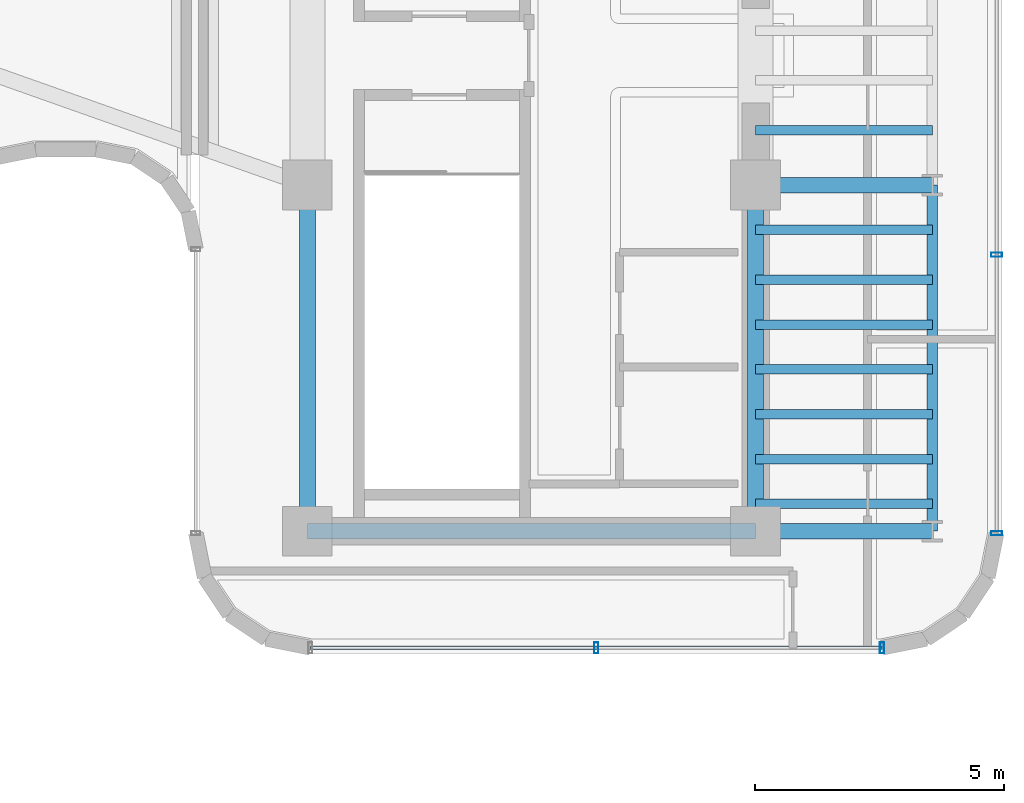
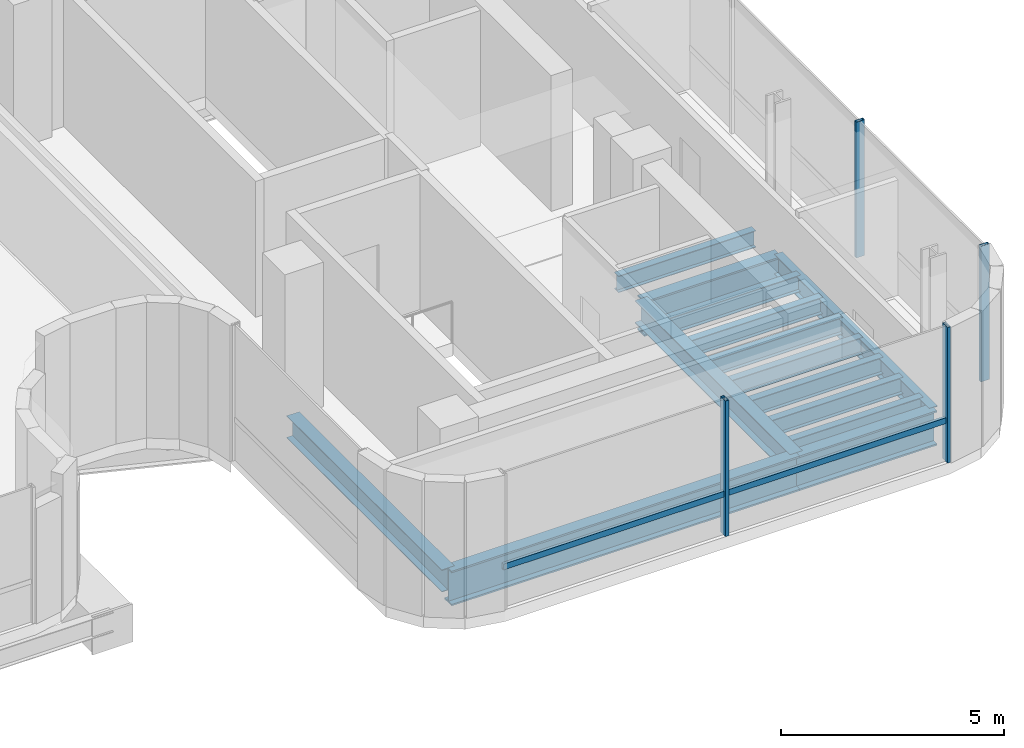
# One storey, part 13 of 35: 14 beams, 5 members, 2 elements without a shape of their own.
"""IFC4 building model written with IfcOpenShell, lengths in metres."""

import ifcopenshell
import ifcopenshell.guid

model = None  # the IFC model being written
_history = None  # IfcOwnerHistory: only IFC2X3 demands one
_inside = {}  # id of a spatial element -> (the spatial element, [elements in it])
_under = {}  # id of a project, library or spatial element -> (it, [spatial elements below it])
_declared = {}  # id of a project -> (the project, [libraries it declares])
_typed = {}  # id of a type object -> (the type object, [elements of that type])
_made_of = {}  # id of a material, layer set ... -> (it, [elements and type objects made of it])


def new_model(schema):
    """Start an empty IFC model of exactly this schema.

    Asked for "IFC4X3", IfcOpenShell would pick the latest addendum, in which some entities
    have other attributes; the version numbers below select the first issue.
    IFC2X3 requires an IfcOwnerHistory on every rooted entity: one is made here for all.
    """
    global model, _history
    if schema == "IFC4X3":
        model = ifcopenshell.file(schema_version=(4, 3, 0, 0))
    else:
        model = ifcopenshell.file(schema=schema)
    _inside.clear()
    _under.clear()
    _declared.clear()
    _typed.clear()
    _made_of.clear()
    _history = None
    if model.schema == "IFC2X3":
        org = make("IfcOrganization", Name="unknown")
        user = make(
            "IfcPersonAndOrganization",
            ThePerson=make("IfcPerson", FamilyName="unknown"),
            TheOrganization=org,
        )
        app = make(
            "IfcApplication",
            ApplicationDeveloper=org,
            Version="unknown",
            ApplicationFullName="unknown",
            ApplicationIdentifier="unknown",
        )
        _history = make(
            "IfcOwnerHistory",
            OwningUser=user,
            OwningApplication=app,
            ChangeAction="ADDED",
            CreationDate=0,
        )
    return model


def make(cls, **values):
    """One entity of the class cls with the attributes given. An attribute that is None is left unset."""
    return model.create_entity(
        cls, **{name: value for name, value in values.items() if value is not None}
    )


def rooted(cls, **values):
    """An entity with a GlobalId (a new one), such as an element, a storey or a relation."""
    return make(cls, GlobalId=ifcopenshell.guid.new(), OwnerHistory=_history, **values)


def si_unit(unit_type, name, prefix=None):
    """IfcSIUnit, for example si_unit("LENGTHUNIT", "METRE", prefix="MILLI")."""
    return make("IfcSIUnit", UnitType=unit_type, Prefix=prefix, Name=name)


def assignment(units):
    """IfcUnitAssignment: the units of a project."""
    return None if units is None else make("IfcUnitAssignment", Units=units)


def point(xyz):
    """IfcCartesianPoint."""
    return None if xyz is None else make("IfcCartesianPoint", Coordinates=xyz)


def direction(xyz):
    """IfcDirection."""
    return None if xyz is None else make("IfcDirection", DirectionRatios=xyz)


def frame(location, z_axis=None, x_axis=None):
    """IfcAxis2Placement3D, a coordinate frame: its origin and axes. An axis left out is left unset."""
    return make(
        "IfcAxis2Placement3D",
        Location=point(location),
        Axis=direction(z_axis),
        RefDirection=direction(x_axis),
    )


def frame_2d(location, x_axis=None):
    """IfcAxis2Placement2D, a coordinate frame in the plane: its origin and x axis."""
    return make(
        "IfcAxis2Placement2D", Location=point(location), RefDirection=direction(x_axis)
    )


def origin():
    """The frame at (0, 0, 0) with its axes left unset."""
    return frame((0.0, 0.0, 0.0))


def origin_2d():
    """The frame at (0, 0) in the plane with its x axis left unset."""
    return frame_2d((0.0, 0.0))


def place(relative_to, where):
    """IfcLocalPlacement: puts the frame where relative to a parent placement (None: the world)."""
    return make(
        "IfcLocalPlacement", PlacementRelTo=relative_to, RelativePlacement=where
    )


def context(
    kind, dimensions, precision=None, world=None, true_north=None, identifier=None
):
    """IfcGeometricRepresentationContext, for example the 3D "Model" context."""
    return make(
        "IfcGeometricRepresentationContext",
        ContextIdentifier=identifier,
        ContextType=kind,
        CoordinateSpaceDimension=dimensions,
        Precision=precision,
        WorldCoordinateSystem=world,
        TrueNorth=true_north,
    )


def subcontext(parent, identifier, kind, view, scale=None):
    """IfcGeometricRepresentationSubContext, for example "Body" below "Model"."""
    return make(
        "IfcGeometricRepresentationSubContext",
        ContextIdentifier=identifier,
        ContextType=kind,
        ParentContext=parent,
        TargetScale=scale,
        TargetView=view,
    )


def project(units=None, contexts=None):
    """IfcProject with its units and contexts."""
    return rooted(
        "IfcProject",
        Name="project",
        RepresentationContexts=contexts,
        UnitsInContext=assignment(units),
    )


def spatial(cls, under=None, at=None, **own):
    """A site, building, storey or space (cls), placed at a placement, below another one or the project."""
    s = rooted(cls, ObjectPlacement=at, **own)
    if under is not None:
        _under.setdefault(under.id(), (under, []))[1].append(s)
    return s


def profile(cls, at=None, kind="AREA", **sizes):
    """A parametric profile (cls). Its sizes go by their IFC names, for example OverallWidth=200.0."""
    return make(cls, ProfileType=kind, Position=at, **sizes)


def hollow_rectangle(**sizes):
    """IfcRectangleHollowProfileDef."""
    return profile("IfcRectangleHollowProfileDef", **sizes)


def i_section(**sizes):
    """IfcIShapeProfileDef."""
    return profile("IfcIShapeProfileDef", **sizes)


def extrude(swept, where, along, depth):
    """IfcExtrudedAreaSolid: the profile swept, set in the frame where, extruded along a direction by depth."""
    return make(
        "IfcExtrudedAreaSolid",
        SweptArea=swept,
        Position=where,
        ExtrudedDirection=direction(along),
        Depth=depth,
    )


def shape(context_of_items, identifier, shape_type, items):
    """IfcShapeRepresentation: the items that make up one representation, for example the "Body"."""
    return make(
        "IfcShapeRepresentation",
        ContextOfItems=context_of_items,
        RepresentationIdentifier=identifier,
        RepresentationType=shape_type,
        Items=items,
    )


def source(mapping_origin, context_of_items, identifier, shape_type, items):
    """IfcRepresentationMap: a shape defined once, which mapped items show again and again."""
    return make(
        "IfcRepresentationMap",
        MappingOrigin=mapping_origin,
        MappedRepresentation=shape(context_of_items, identifier, shape_type, items),
    )


def transform(
    local_origin,
    x_axis=None,
    y_axis=None,
    z_axis=None,
    scale=None,
    scale2=None,
    scale3=None,
    uniform=True,
):
    """IfcCartesianTransformationOperator3D, or its non-uniform kind. x_axis, y_axis, z_axis: its Axis1, 2, 3."""
    if uniform:
        return make(
            "IfcCartesianTransformationOperator3D",
            Axis1=direction(x_axis),
            Axis2=direction(y_axis),
            LocalOrigin=point(local_origin),
            Scale=scale,
            Axis3=direction(z_axis),
        )
    return make(
        "IfcCartesianTransformationOperator3DnonUniform",
        Axis1=direction(x_axis),
        Axis2=direction(y_axis),
        LocalOrigin=point(local_origin),
        Scale=scale,
        Axis3=direction(z_axis),
        Scale2=scale2,
        Scale3=scale3,
    )


def mapped(mapping_source, mapping_target):
    """IfcMappedItem: shows the shape of a source again, moved by a transform."""
    return make(
        "IfcMappedItem", MappingSource=mapping_source, MappingTarget=mapping_target
    )


def material(Name=None, Category=None):
    """IfcMaterial."""
    return make("IfcMaterial", Name=Name, Category=Category)


def material_profile(
    of_material, cross_section, Name=None, Category=None, Priority=None
):
    """IfcMaterialProfile: a cross section and its material."""
    return make(
        "IfcMaterialProfile",
        Name=Name,
        Material=of_material,
        Profile=cross_section,
        Priority=Priority,
        Category=Category,
    )


def profile_set(profiles, Name=None, composite=None):
    """IfcMaterialProfileSet."""
    return make(
        "IfcMaterialProfileSet",
        Name=Name,
        MaterialProfiles=profiles,
        CompositeProfile=composite,
    )


def made_of(thing, what):
    """Note that an element or type object is made of a material, layer set ...; save() writes the relation."""
    if what is not None:
        _made_of.setdefault(what.id(), (what, []))[1].append(thing)
    return thing


def type_object(cls, material=None, **own):
    """A type object (cls), such as IfcWallType, which elements share."""
    return made_of(rooted(cls, **own), material)


def element(
    cls,
    number,
    at=None,
    inside=None,
    cuts=None,
    type_object=None,
    material=None,
    context=None,
    identifier="Body",
    shape_type=None,
    held_by="IfcProductDefinitionShape",
    body=None,
    shapes=None,
    **own,
):
    """One element of the class cls, such as IfcWall. Its Tag is "e" and its number.

    at: its placement. inside: the storey or other place that contains it. cuts: it is an
    opening in that element (IfcRelVoidsElement). A single representation is given by context,
    identifier, shape_type and body (its items); several are given by shapes. held_by: the class
    of the entity that holds the representations. save() writes the other relations.
    """
    e = rooted(cls, Tag="e%d" % number, ObjectPlacement=at, **own)
    if body is not None:
        shapes = [shape(context, identifier, shape_type, body)]
    if shapes is not None:
        e.Representation = make(held_by, Representations=shapes)
    if inside is not None:
        _inside.setdefault(inside.id(), (inside, []))[1].append(e)
    if cuts is not None:
        rooted(
            "IfcRelVoidsElement", RelatingBuildingElement=cuts, RelatedOpeningElement=e
        )
    if type_object is not None:
        _typed.setdefault(type_object.id(), (type_object, []))[1].append(e)
    return made_of(e, material)


def aggregate(whole, parts):
    """IfcRelAggregates: a whole, such as a stair, and the parts it consists of."""
    return rooted("IfcRelAggregates", RelatingObject=whole, RelatedObjects=parts)


def save(model, path):
    """Write the relations noted so far, then the file.

    IfcRelAggregates (storeys below a building ...), IfcRelContainedInSpatialStructure (elements
    in a storey), IfcRelDefinesByType, IfcRelAssociatesMaterial and IfcRelDeclares: one each for
    every whole, place, type object, material and project.
    """
    for whole, parts in _under.values():
        aggregate(whole, parts)
    for where, things in _inside.values():
        rooted(
            "IfcRelContainedInSpatialStructure",
            RelatedElements=things,
            RelatingStructure=where,
        )
    for kind, things in _typed.values():
        rooted("IfcRelDefinesByType", RelatedObjects=things, RelatingType=kind)
    for what, things in _made_of.values():
        rooted("IfcRelAssociatesMaterial", RelatedObjects=things, RelatingMaterial=what)
    for by, libraries in _declared.values():
        rooted("IfcRelDeclares", RelatingContext=by, RelatedDefinitions=libraries)
    model.write(path)


model = new_model("IFC4")

# Units and contexts
model_context = context("Model", 3, precision=1e-05, world=origin(), true_north=direction((0.0, 1.0)))
body_context = subcontext(model_context, "Body", "Model", "MODEL_VIEW")
ifc_project = project(units=[si_unit("LENGTHUNIT", "METRE"), si_unit("AREAUNIT", "SQUARE_METRE"), si_unit("VOLUMEUNIT", "CUBIC_METRE"), si_unit("PLANEANGLEUNIT", "RADIAN"), si_unit("MASSUNIT", "GRAM", prefix="KILO")], contexts=[model_context])

# Site, building, storey
site_placement = place(None, origin())
site = spatial("IfcSite", under=ifc_project, at=site_placement, CompositionType="ELEMENT")
building_placement = place(site_placement, origin())
building = spatial("IfcBuilding", under=site, at=building_placement, Name="Valdorenza Pilgrim Sanctuary Tower", CompositionType="ELEMENT")
storey_placement = place(building_placement, frame((0.0, 0.0, 192.35009765625)))
storey = spatial("IfcBuildingStorey", under=building, at=storey_placement, Name="L49", CompositionType="ELEMENT", Elevation=192.35009765625)

# Beams
ifc_material_1 = material(Name="Steel ASTM A992 Grade 50", Category="steel")
ifc_material_profile_1 = material_profile(ifc_material_1, i_section(OverallWidth=0.323974609375, OverallDepth=0.611083984375, WebThickness=0.0126953125, FlangeThickness=0.01904296875, at=origin_2d()), Name="W24X104")
ifc_profile_set_1 = profile_set([ifc_material_profile_1], Name="Steel ASTM A992 Grade 50")
beam_type_1 = type_object("IfcBeamType", Name="STR-BM-GRD-W24B", PredefinedType="BEAM", material=ifc_profile_set_1)
shared_shape_1 = source(origin(), body_context, "Body", "SweptSolid", [
    extrude(i_section(OverallWidth=0.323974609375, OverallDepth=0.611083984375, WebThickness=0.0126953125, FlangeThickness=0.01904296875, at=origin_2d()), origin(), (0.0, 0.0, 1.0), 6.949951171875),
])
for number, where, z_axis, x_axis, name in (
    (1, (15.85009765625, -9.550048828125, -0.62548828125), (0.0, 1.0, 0.0), (-1.0, 0.0, 0.0), "L49 Core Tie Girder CB-W-S1M0"),
    (2, (24.85009765625, -9.550048828125, -0.62548828125), (0.0, 1.0, 0.0), (-1.0, 0.0, 0.0), "L49 Core Tie Girder CB-E-S1M0"),
):
    element("IfcBeam", number, at=place(storey_placement, frame(where, z_axis=z_axis, x_axis=x_axis)), inside=storey, type_object=beam_type_1, Name=name, PredefinedType="BEAM", context=body_context, shape_type="MappedRepresentation", body=[
        mapped(shared_shape_1, transform((0.0, 0.0, 0.0), x_axis=(1.0, 0.0, 0.0), y_axis=(0.0, 1.0, 0.0), z_axis=(0.0, 0.0, 1.0), scale=1.0)),
    ])
ifc_material_profile_2 = material_profile(ifc_material_1, i_section(OverallWidth=0.19091796875, OverallDepth=0.45703125, WebThickness=0.009033203125, FlangeThickness=0.014404296875, at=origin_2d()), Name="W18X50")
ifc_profile_set_2 = profile_set([ifc_material_profile_2], Name="Steel ASTM A992 Grade 50")
beam_type_2 = type_object("IfcBeamType", Name="STR-BM-JST-W18B", PredefinedType="JOIST", material=ifc_profile_set_2)
shared_shape_2 = source(origin(), body_context, "Body", "SweptSolid", [
    extrude(i_section(OverallWidth=0.19091796875, OverallDepth=0.45703125, WebThickness=0.009033203125, FlangeThickness=0.014404296875, at=origin_2d()), origin(), (0.0, 0.0, 1.0), 3.5498046875),
])
for number, where, z_axis, x_axis, name in (
    (3, (24.85009765625, -9.0, -0.548583984375), (1.0, 0.0, 0.0), (0.0, 1.0, 0.0), "L49 Composite Floor Joist JST-WB-1"),
    (4, (24.85009765625, -8.10009765625, -0.548583984375), (1.0, 0.0, 0.0), (0.0, 1.0, 0.0), "L49 Composite Floor Joist JST-WB-2"),
    (5, (24.85009765625, -7.199951171875, -0.548583984375), (1.0, 0.0, 0.0), (0.0, 1.0, 0.0), "L49 Composite Floor Joist JST-WB-3"),
    (6, (24.85009765625, -6.300048828125, -0.548583984375), (1.0, 0.0, 0.0), (0.0, 1.0, 0.0), "L49 Composite Floor Joist JST-WB-4"),
    (7, (24.85009765625, -5.39990234375, -0.548583984375), (1.0, 0.0, 0.0), (0.0, 1.0, 0.0), "L49 Composite Floor Joist JST-WB-5"),
    (8, (24.85009765625, -4.5, -0.548583984375), (1.0, 0.0, 0.0), (0.0, 1.0, 0.0), "L49 Composite Floor Joist JST-WB-6"),
    (9, (24.85009765625, -3.5, -0.548583984375), (1.0, 0.0, 0.0), (0.0, 1.0, 0.0), "L49 Composite Floor Joist JST-WB-7"),
    (10, (24.85009765625, -1.5, -0.548583984375), (1.0, 0.0, 0.0), (0.0, 1.0, 0.0), "L49 Composite Floor Joist JST-WB-8"),
):
    element("IfcBeam", number, at=place(storey_placement, frame(where, z_axis=z_axis, x_axis=x_axis)), inside=storey, type_object=beam_type_2, Name=name, PredefinedType="JOIST", context=body_context, shape_type="MappedRepresentation", body=[
        mapped(shared_shape_2, transform((0.0, 0.0, 0.0), x_axis=(1.0, 0.0, 0.0), y_axis=(0.0, 1.0, 0.0), z_axis=(0.0, 0.0, 1.0), scale=1.0)),
    ])
ifc_material_profile_3 = material_profile(ifc_material_1, i_section(OverallWidth=0.2109375, OverallDepth=0.5390625, WebThickness=0.01171875, FlangeThickness=0.018798828125, at=origin_2d()), Name="W21X73")
ifc_profile_set_3 = profile_set([ifc_material_profile_3], Name="Steel ASTM A992 Grade 50")
beam_type_3 = type_object("IfcBeamType", Name="STR-BM-SPN-W21B", PredefinedType="SPANDREL", material=ifc_profile_set_3)
shared_shape_3 = source(origin(), body_context, "Body", "SweptSolid", [
    extrude(i_section(OverallWidth=0.2109375, OverallDepth=0.5390625, WebThickness=0.01171875, FlangeThickness=0.018798828125, at=origin_2d()), origin(), (0.0, 0.0, 1.0), 6.949951171875),
])
beam_1_placement = place(storey_placement, frame((28.39990234375, -9.550048828125, -0.589599609375), z_axis=(0.0, 1.0, 0.0), x_axis=(-1.0, 0.0, 0.0)))
element("IfcBeam", 11, at=beam_1_placement, inside=storey, type_object=beam_type_3, Name="L49 Spandrel Beam WB-E-S1M0", PredefinedType="SPANDREL", context=body_context, shape_type="MappedRepresentation", body=[
    mapped(shared_shape_3, transform((0.0, 0.0, 0.0), x_axis=(1.0, 0.0, 0.0), y_axis=(0.0, 1.0, 0.0), z_axis=(0.0, 0.0, 1.0), scale=1.0)),
])
ifc_material_profile_4 = material_profile(ifc_material_1, i_section(OverallWidth=0.31005859375, OverallDepth=0.949951171875, WebThickness=0.0244140625, FlangeThickness=0.0439453125, at=origin_2d()), Name="W36X256")
ifc_profile_set_4 = profile_set([ifc_material_profile_4], Name="Steel ASTM A992 Grade 50")
beam_type_4 = type_object("IfcBeamType", Name="STR-BM-GRD-W36B", PredefinedType="BEAM", material=ifc_profile_set_4)
shared_shape_4 = source(origin(), body_context, "Body", "SweptSolid", [
    extrude(i_section(OverallWidth=0.31005859375, OverallDepth=0.949951171875, WebThickness=0.0244140625, FlangeThickness=0.0439453125, at=origin_2d()), origin(), (0.0, 0.0, 1.0), 9.0),
])
beam_2_placement = place(storey_placement, frame((15.85009765625, -9.550048828125, -0.795166015625), z_axis=(1.0, 0.0, 0.0), x_axis=(0.0, 1.0, 0.0)))
element("IfcBeam", 12, at=beam_2_placement, inside=storey, type_object=beam_type_4, Name="L49 Floor Girder CB-XC-S1", PredefinedType="BEAM", context=body_context, shape_type="MappedRepresentation", body=[
    mapped(shared_shape_4, transform((0.0, 0.0, 0.0), x_axis=(1.0, 0.0, 0.0), y_axis=(0.0, 1.0, 0.0), z_axis=(0.0, 0.0, 1.0), scale=1.0)),
])
shared_shape_5 = source(origin(), body_context, "Body", "SweptSolid", [
    extrude(i_section(OverallWidth=0.31005859375, OverallDepth=0.949951171875, WebThickness=0.0244140625, FlangeThickness=0.0439453125, at=origin_2d()), origin(), (0.0, 0.0, 1.0), 3.5498046875),
])
for number, where, z_axis, x_axis, name in (
    (13, (24.85009765625, -9.550048828125, -0.795166015625), (1.0, 0.0, 0.0), (0.0, 1.0, 0.0), "L49 Floor Girder WB-XE-S1"),
    (14, (24.85009765625, -2.60009765625, -0.795166015625), (1.0, 0.0, 0.0), (0.0, 1.0, 0.0), "L49 Floor Girder WB-XE-M0"),
):
    element("IfcBeam", number, at=place(storey_placement, frame(where, z_axis=z_axis, x_axis=x_axis)), inside=storey, type_object=beam_type_4, Name=name, PredefinedType="BEAM", context=body_context, shape_type="MappedRepresentation", body=[
        mapped(shared_shape_5, transform((0.0, 0.0, 0.0), x_axis=(1.0, 0.0, 0.0), y_axis=(0.0, 1.0, 0.0), z_axis=(0.0, 0.0, 1.0), scale=1.0)),
    ])

# Curtain wall, member
ifc_material_2 = material(Name="Curtain-wall IGU glazing", Category="glass")
curtain_wall_type = type_object("IfcCurtainWallType", Name="CW-SYS-03", PredefinedType="NOTDEFINED", material=ifc_material_2)
curtain_wall_1_placement = place(storey_placement, origin())
curtain_wall_1 = element("IfcCurtainWall", 15, at=curtain_wall_1_placement, inside=storey, type_object=curtain_wall_type, Name="L49 Curtain Wall CW-L49-1-42", PredefinedType="NOTDEFINED")
ifc_material_3 = material(Name="Anodised aluminium AW-6060", Category="aluminium")
ifc_material_profile_5 = material_profile(ifc_material_3, hollow_rectangle(XDim=0.074951171875, YDim=0.159912109375, WallThickness=0.00390625, at=origin_2d()), Name="ALU-T 160x75x4")
ifc_profile_set_5 = profile_set([ifc_material_profile_5], Name="Anodised aluminium AW-6060")
member_type_1 = type_object("IfcMemberType", Name="CW-TRN-03", PredefinedType="USERDEFINED", material=ifc_profile_set_5)
shared_shape_6 = source(origin(), body_context, "Body", "SweptSolid", [
    extrude(hollow_rectangle(XDim=0.074951171875, YDim=0.159912109375, WallThickness=0.00390625, at=origin_2d()), origin(), (0.0, 0.0, 1.0), 11.478271484375),
])
member_1_placement = place(storey_placement, frame((27.38916015625, -11.889892578125, 1.119873046875), z_axis=(-1.0, 0.0, 0.0), x_axis=(0.0, -1.0, 0.0)))
member_1 = element("IfcMember", 16, at=member_1_placement, type_object=member_type_1, Name="CW-L49-1-42 Transom 1", ObjectType="TRANSOM", PredefinedType="USERDEFINED", context=body_context, shape_type="MappedRepresentation", body=[
    mapped(shared_shape_6, transform((0.0, 0.0, 0.0), x_axis=(1.0, 0.0, 0.0), y_axis=(0.0, 1.0, 0.0), z_axis=(0.0, 0.0, 1.0), scale=1.0)),
])

# Curtain wall, members
curtain_wall_2_placement = place(storey_placement, origin())
curtain_wall_2 = element("IfcCurtainWall", 17, at=curtain_wall_2_placement, inside=storey, type_object=curtain_wall_type, Name="L49 Curtain Wall CW-L49-1-37", PredefinedType="NOTDEFINED")
ifc_material_profile_6 = material_profile(ifc_material_3, hollow_rectangle(XDim=0.0849609375, YDim=0.219970703125, WallThickness=0.0048828125, at=origin_2d()), Name="ALU-M 220x85x5")
ifc_profile_set_6 = profile_set([ifc_material_profile_6], Name="Anodised aluminium AW-6060")
member_type_2 = type_object("IfcMemberType", Name="CW-MUL-03", PredefinedType="MULLION", material=ifc_profile_set_6)
shared_shape_7 = source(origin(), body_context, "Body", "SweptSolid", [
    extrude(hollow_rectangle(XDim=0.0849609375, YDim=0.219970703125, WallThickness=0.0048828125, at=origin_2d()), origin(), (0.0, 0.0, 1.0), 3.7099609375),
])
member_2_placement = place(storey_placement, frame((29.68994140625, -3.999755859375, 0.0), z_axis=(0.0, 0.0, 1.0), x_axis=(0.0, -1.0, 0.0)))
member_2 = element("IfcMember", 18, at=member_2_placement, type_object=member_type_2, Name="CW-L49-1-37 Mullion 4", PredefinedType="MULLION", context=body_context, shape_type="MappedRepresentation", body=[
    mapped(shared_shape_7, transform((0.0, 0.0, 0.0), x_axis=(1.0, 0.0, 0.0), y_axis=(0.0, 1.0, 0.0), z_axis=(0.0, 0.0, 1.0), scale=1.0)),
])
member_3_placement = place(storey_placement, frame((29.68994140625, -9.589111328125, 0.0), z_axis=(0.0, 0.0, 1.0), x_axis=(0.0, -1.0, 0.0)))
member_3 = element("IfcMember", 19, at=member_3_placement, type_object=member_type_2, Name="CW-L49-1-37 Mullion 5", PredefinedType="MULLION", context=body_context, shape_type="MappedRepresentation", body=[
    mapped(shared_shape_7, transform((0.0, 0.0, 0.0), x_axis=(1.0, 0.0, 0.0), y_axis=(0.0, 1.0, 0.0), z_axis=(0.0, 0.0, 1.0), scale=1.0)),
])
aggregate(curtain_wall_2, [member_2, member_3])

# Member
member_4_placement = place(storey_placement, frame((27.38916015625, -11.889892578125, 0.0), z_axis=(0.0, 0.0, 1.0), x_axis=(-1.0, 0.0, 0.0)))
member_4 = element("IfcMember", 20, at=member_4_placement, type_object=member_type_2, Name="CW-L49-1-42 Mullion 1", PredefinedType="MULLION", context=body_context, shape_type="MappedRepresentation", body=[
    mapped(shared_shape_7, transform((0.0, 0.0, 0.0), x_axis=(1.0, 0.0, 0.0), y_axis=(0.0, 1.0, 0.0), z_axis=(0.0, 0.0, 1.0), scale=1.0)),
])

member_5_placement = place(storey_placement, frame((21.64990234375, -11.889892578125, 0.0), z_axis=(0.0, 0.0, 1.0), x_axis=(-1.0, 0.0, 0.0)))
member_5 = element("IfcMember", 21, at=member_5_placement, type_object=member_type_2, Name="CW-L49-1-42 Mullion 2", PredefinedType="MULLION", context=body_context, shape_type="MappedRepresentation", body=[
    mapped(shared_shape_7, transform((0.0, 0.0, 0.0), x_axis=(1.0, 0.0, 0.0), y_axis=(0.0, 1.0, 0.0), z_axis=(0.0, 0.0, 1.0), scale=1.0)),
])

aggregate(curtain_wall_1, [member_4, member_5, member_1])

save(model, "model.ifc")
